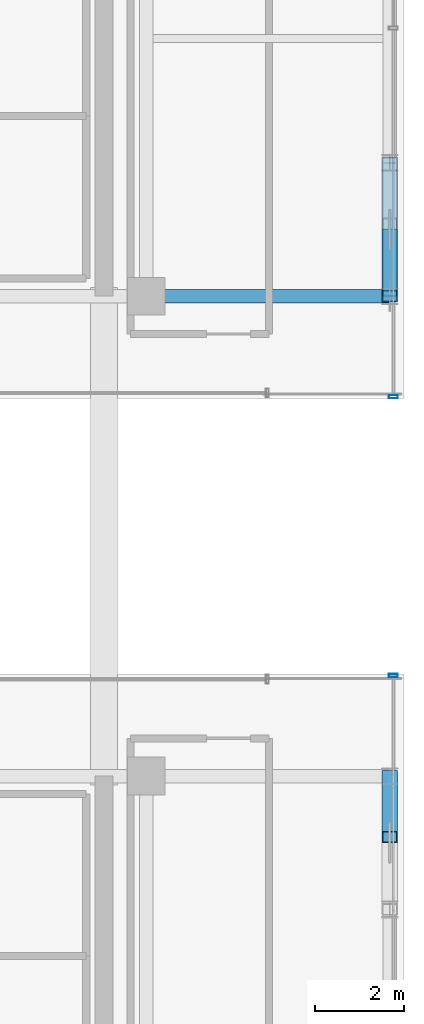
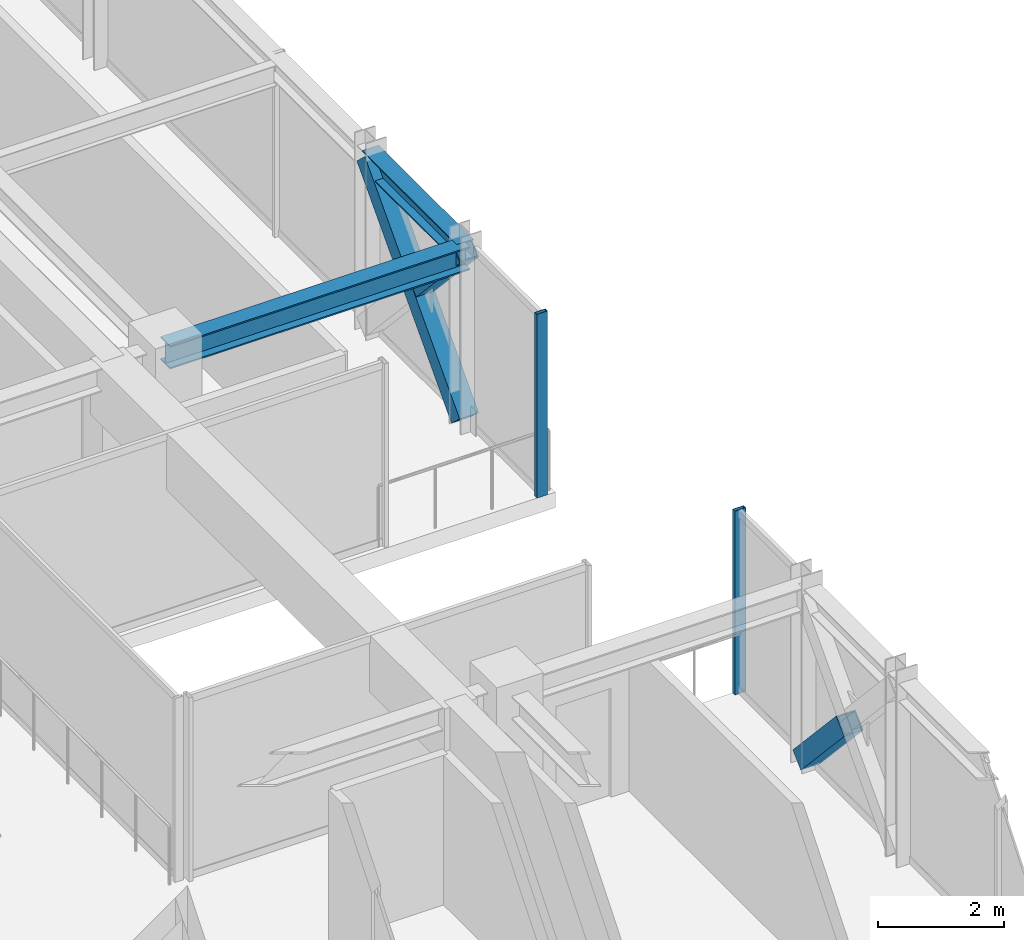
# One storey, part 22 of 41: 5 members, 2 beams, 2 elements without a shape of their own.
"""IFC4 building model written with IfcOpenShell, lengths in metres."""

from ifc_helpers import new_model, si_unit, direction, frame, origin, origin_2d, place, context, subcontext, project, spatial, hollow_rectangle, i_section, extrude, source, transform, mapped, material, material_profile, profile_set, type_object, element, aggregate, save


model = new_model("IFC4")

# Units and contexts
model_context = context("Model", 3, precision=1e-05, world=origin(), true_north=direction((0.0, 1.0)))
body_context = subcontext(model_context, "Body", "Model", "MODEL_VIEW")
ifc_project = project(units=[si_unit("LENGTHUNIT", "METRE"), si_unit("AREAUNIT", "SQUARE_METRE"), si_unit("VOLUMEUNIT", "CUBIC_METRE"), si_unit("PLANEANGLEUNIT", "RADIAN"), si_unit("MASSUNIT", "GRAM", prefix="KILO")], contexts=[model_context])

# Site, building, storey
site_placement = place(None, origin())
site = spatial("IfcSite", under=ifc_project, at=site_placement, CompositionType="ELEMENT")
building_placement = place(site_placement, origin())
building = spatial("IfcBuilding", under=site, at=building_placement, Name="Nahalor Promenade Grand Hotel", CompositionType="ELEMENT")
storey_placement = place(building_placement, frame((0.0, 0.0, 304.199951171875)))
storey = spatial("IfcBuildingStorey", under=building, at=storey_placement, Name="L78", CompositionType="ELEMENT", Elevation=304.199951171875)

# Beams
ifc_material_1 = material(Name="Steel S355JR", Category="steel")
ifc_material_profile_1 = material_profile(ifc_material_1, i_section(OverallWidth=0.3, OverallDepth=0.45, WebThickness=0.014, FlangeThickness=0.026, at=origin_2d()), Name="HEB 450")
ifc_profile_set_1 = profile_set([ifc_material_profile_1], Name="Steel S355JR")
beam_type_1 = type_object("IfcBeamType", Name="Beam-Girder-HEB450", PredefinedType="BEAM", material=ifc_profile_set_1)
shared_shape_1 = source(origin(), body_context, "Body", "SweptSolid", [
    extrude(i_section(OverallWidth=0.3, OverallDepth=0.45, WebThickness=0.014, FlangeThickness=0.026, at=origin_2d()), origin(), (0.0, 0.0, 1.0), 5.47998046875),
])
beam_1_placement = place(storey_placement, frame((17.0, 5.39990234375, 3.324951171875), z_axis=(1.0, 0.0, 0.0), x_axis=(0.0, 1.0, 0.0)))
element("IfcBeam", 1, at=beam_1_placement, inside=storey, type_object=beam_type_1, Name="BM-L78-GX-2-6", PredefinedType="BEAM", context=body_context, shape_type="MappedRepresentation", body=[
    mapped(shared_shape_1, transform((0.0, 0.0, 0.0), scale=1.0)),
])
ifc_material_profile_2 = material_profile(ifc_material_1, i_section(OverallWidth=0.3, OverallDepth=0.36, WebThickness=0.0125, FlangeThickness=0.0225, at=origin_2d()), Name="HEB 360")
ifc_profile_set_2 = profile_set([ifc_material_profile_2], Name="Steel S355JR")
beam_type_2 = type_object("IfcBeamType", Name="Beam-Spandrel-HEB360", PredefinedType="SPANDREL", material=ifc_profile_set_2)
shared_shape_2 = source(origin(), body_context, "Body", "SweptSolid", [
    extrude(i_section(OverallWidth=0.3, OverallDepth=0.36, WebThickness=0.0125, FlangeThickness=0.0225, at=origin_2d()), origin(), (0.0, 0.0, 1.0), 3.0),
])
beam_2_placement = place(storey_placement, frame((22.47998046875, 5.39990234375, 3.3701171875), z_axis=(0.0, 1.0, 0.0), x_axis=(-1.0, 0.0, 0.0)))
element("IfcBeam", 2, at=beam_2_placement, inside=storey, type_object=beam_type_2, Name="BM-L78-SP-E-3", PredefinedType="SPANDREL", context=body_context, shape_type="MappedRepresentation", body=[
    mapped(shared_shape_2, transform((0.0, 0.0, 0.0), scale=1.0)),
])

# Members
ifc_material_profile_3 = material_profile(ifc_material_1, hollow_rectangle(XDim=0.35, YDim=0.35, WallThickness=0.02, at=origin_2d()), Name="SHS 350x350x20")
ifc_profile_set_3 = profile_set([ifc_material_profile_3], Name="Steel S355JR")
member_type_1 = type_object("IfcMemberType", Name="Mem-VoidBrace-SHS350", PredefinedType="BRACE", material=ifc_profile_set_3)
shared_shape_3 = source(origin(), body_context, "Body", "SweptSolid", [
    extrude(hollow_rectangle(XDim=0.35, YDim=0.35, WallThickness=0.02, at=origin_2d()), origin(), (0.0, 0.0, 1.0), 4.4228515625),
])
member_1_placement = place(storey_placement, frame((22.47998046875, 5.39990234375, 0.150146484375), z_axis=(0.0, 0.678280102733, 0.734803444627), x_axis=(-1.0, 0.0, 0.0)))
element("IfcMember", 3, at=member_1_placement, inside=storey, type_object=member_type_1, Name="EXO-L78-VX1-E1", PredefinedType="BRACE", context=body_context, shape_type="MappedRepresentation", body=[
    mapped(shared_shape_3, transform((0.0, 0.0, 0.0), scale=1.0)),
])
shared_shape_4 = source(origin(), body_context, "Body", "SweptSolid", [
    extrude(hollow_rectangle(XDim=0.35, YDim=0.35, WallThickness=0.02, at=origin_2d()), origin(), (0.0, 0.0, 1.0), 2.02392578125),
])
for number, where, z_axis, x_axis, name in (
    (4, (22.47998046875, -5.39990234375, 0.150146484375), (0.0, -0.678315173958, 0.734771069639), (1.0, 0.0, 0.0), "EXO-L78-VX2-E0A"),
    (5, (22.47998046875, 6.772705078125, 1.912841796875), (0.0, -0.678255053132, 0.734826566545), (1.0, 0.0, 0.0), "EXO-L78-VX2-E1B"),
):
    element("IfcMember", number, at=place(storey_placement, frame(where, z_axis=z_axis, x_axis=x_axis)), inside=storey, type_object=member_type_1, Name=name, PredefinedType="BRACE", context=body_context, shape_type="MappedRepresentation", body=[
        mapped(shared_shape_4, transform((0.0, 0.0, 0.0), scale=1.0)),
    ])

# Curtain wall, member
ifc_material_2 = material(Name="Anodised Bronze Aluminium EN AW-6063 T6", Category="aluminium")
curtain_wall_type = type_object("IfcCurtainWallType", Name="CW3 Elliptical-Void Collar Unitised Curtain Wall", PredefinedType="USERDEFINED", material=ifc_material_2)
curtain_wall_1_placement = place(storey_placement, origin())
curtain_wall_1 = element("IfcCurtainWall", 6, at=curtain_wall_1_placement, inside=storey, type_object=curtain_wall_type, Name="L78 Curtain Wall CW-L78-E-1", ObjectType="UNITISED_CURTAIN_WALL", PredefinedType="USERDEFINED")
ifc_material_profile_4 = material_profile(ifc_material_2, hollow_rectangle(XDim=0.07, YDim=0.2, WallThickness=0.005, at=origin_2d()), Name="CWM 70x200x5")
ifc_profile_set_4 = profile_set([ifc_material_profile_4], Name="Anodised Bronze Aluminium EN AW-6063 T6")
member_type_2 = type_object("IfcMemberType", Name="CWM3 Void Collar Mullion 70x200", PredefinedType="MULLION", material=ifc_profile_set_4)
shared_shape_5 = source(origin(), body_context, "Body", "SweptSolid", [
    extrude(hollow_rectangle(XDim=0.07, YDim=0.2, WallThickness=0.005, at=origin_2d()), origin(), (0.0, 0.0, 1.0), 3.550048828125),
])
member_2_placement = place(storey_placement, frame((22.56005859375, -3.135009765625, 0.0), z_axis=(0.0, 0.0, 1.0), x_axis=(0.0, 1.0, 0.0)))
member_2 = element("IfcMember", 7, at=member_2_placement, type_object=member_type_2, Name="CW-L78-E-1 Mullion 2", PredefinedType="MULLION", context=body_context, shape_type="MappedRepresentation", body=[
    mapped(shared_shape_5, transform((0.0, 0.0, 0.0), scale=1.0)),
])
aggregate(curtain_wall_1, [member_2])

curtain_wall_2_placement = place(storey_placement, origin())
curtain_wall_2 = element("IfcCurtainWall", 8, at=curtain_wall_2_placement, inside=storey, type_object=curtain_wall_type, Name="L78 Curtain Wall CW-L78-E-2", ObjectType="UNITISED_CURTAIN_WALL", PredefinedType="USERDEFINED")
member_3_placement = place(storey_placement, frame((22.56005859375, 3.135009765625, 0.0), z_axis=(0.0, 0.0, 1.0), x_axis=(0.0, 1.0, 0.0)))
member_3 = element("IfcMember", 9, at=member_3_placement, type_object=member_type_2, Name="CW-L78-E-2 Mullion 0", PredefinedType="MULLION", context=body_context, shape_type="MappedRepresentation", body=[
    mapped(shared_shape_5, transform((0.0, 0.0, 0.0), scale=1.0)),
])
aggregate(curtain_wall_2, [member_3])

save(model, "model.ifc")
